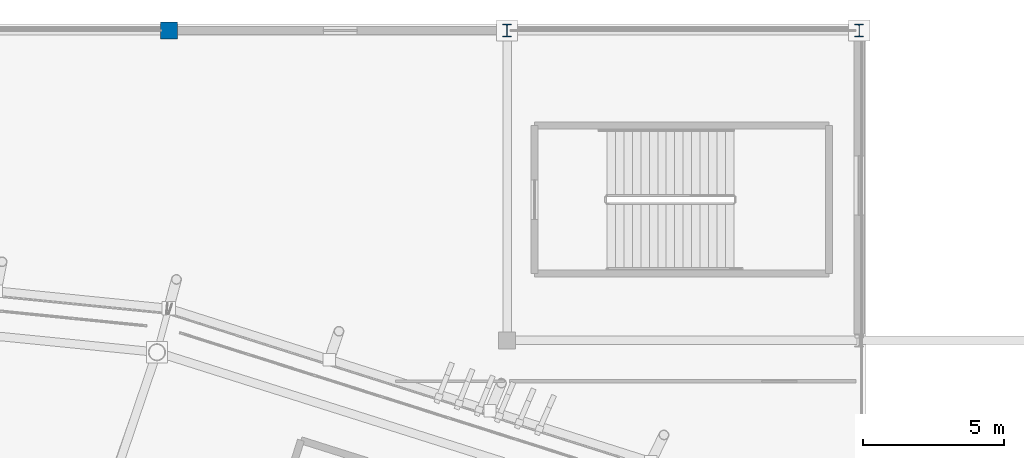
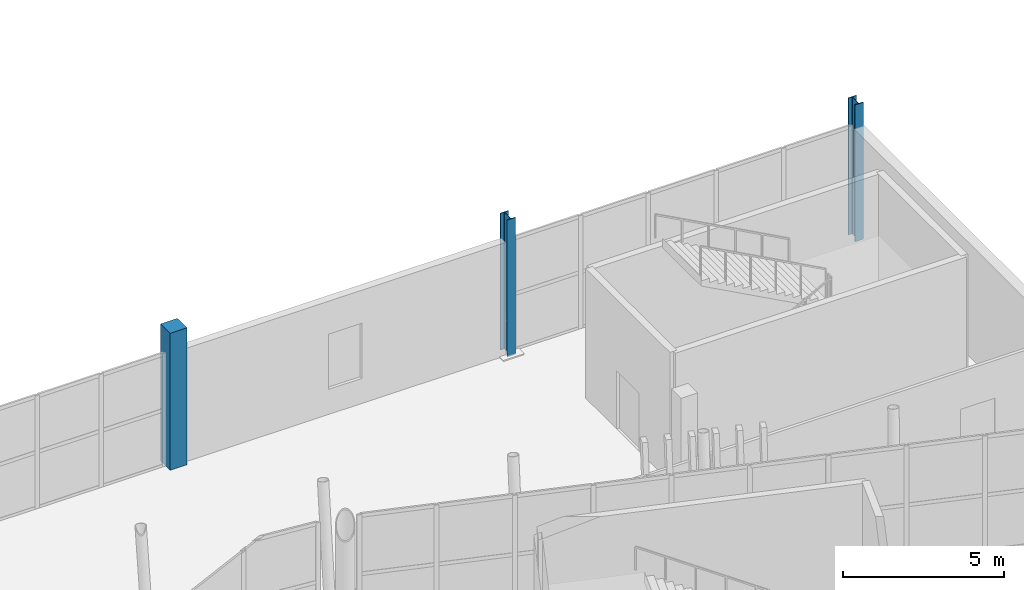
# One storey, part 22 of 178: 3 columns.
"""IFC4 building model written with IfcOpenShell, lengths in metres."""

from ifc_helpers import new_model, si_unit, direction, frame, origin, origin_2d, place, context, subcontext, project, spatial, rectangle, i_section, extrude, material, material_profile, profile_set, type_object, element, save


model = new_model("IFC4")

# Units and contexts
model_context = context("Model", 3, precision=1e-05, world=origin(), true_north=direction((0.0, 1.0)))
body_context = subcontext(model_context, "Body", "Model", "MODEL_VIEW")
ifc_project = project(units=[si_unit("LENGTHUNIT", "METRE"), si_unit("AREAUNIT", "SQUARE_METRE"), si_unit("VOLUMEUNIT", "CUBIC_METRE"), si_unit("PLANEANGLEUNIT", "RADIAN"), si_unit("MASSUNIT", "GRAM", prefix="KILO")], contexts=[model_context])

# Site, building, storey
site_placement = place(None, origin())
site = spatial("IfcSite", under=ifc_project, at=site_placement, CompositionType="ELEMENT")
building_placement = place(site_placement, origin())
building = spatial("IfcBuilding", under=site, at=building_placement, Name="Zlatoyarsky Gate Stadium", CompositionType="ELEMENT")
storey_placement = place(building_placement, frame((0.0, 0.0, 5.39990234375)))
storey = spatial("IfcBuildingStorey", under=building, at=storey_placement, Name="L01", CompositionType="ELEMENT", Elevation=5.39990234375)

# Columns
ifc_material_1 = material(Name="Concrete C40/50", Category="concrete")
ifc_material_profile_1 = material_profile(ifc_material_1, rectangle(XDim=0.60009765625, YDim=0.60009765625, at=origin_2d()), Name="RC COL 600X600")
ifc_profile_set_1 = profile_set([ifc_material_profile_1], Name="Concrete C40/50")
column_type_1 = type_object("IfcColumnType", Name="CONCRETE COLUMN 600X600", PredefinedType="COLUMN", material=ifc_profile_set_1)
column_placement = place(storey_placement, frame((135.5, 160.0, 0.0), z_axis=(0.0, 0.0, 1.0), x_axis=(1.0, 0.0, 0.0)))
element("IfcColumn", 1, at=column_placement, inside=storey, type_object=column_type_1, Name="Column RC-C60 WG-12-Q on L01", PredefinedType="COLUMN", context=body_context, shape_type="SweptSolid", body=[
    extrude(rectangle(XDim=0.60009765625, YDim=0.60009765625, at=origin_2d()), origin(), (0.0, 0.0, 1.0), 5.2001953125),
])
ifc_material_2 = material(Name="Steel S355", Category="steel")
ifc_material_profile_2 = material_profile(ifc_material_2, i_section(OverallWidth=0.300048828125, OverallDepth=0.449951171875, WebThickness=0.013916015625, FlangeThickness=0.02587890625, FilletRadius=0.027099609375, at=origin_2d()), Name="HEB 450")
ifc_profile_set_2 = profile_set([ifc_material_profile_2], Name="Steel S355")
column_type_2 = type_object("IfcColumnType", Name="STEEL COLUMN HEB 450", PredefinedType="COLUMN", material=ifc_profile_set_2)
for number, where, z_axis, x_axis, name in (
    (2, (147.5, 160.0, 0.0), (0.0, 0.0, 1.0), (1.0, 0.0, 0.0), "Column ST-C450 WG-13-Q on L01"),
    (3, (160.0, 160.0, 0.0), (0.0, 0.0, 1.0), (1.0, 0.0, 0.0), "Column ST-C450 WG-14-Q on L01"),
):
    element("IfcColumn", number, at=place(storey_placement, frame(where, z_axis=z_axis, x_axis=x_axis)), inside=storey, type_object=column_type_2, Name=name, PredefinedType="COLUMN", context=body_context, shape_type="SweptSolid", body=[
        extrude(i_section(OverallWidth=0.300048828125, OverallDepth=0.449951171875, WebThickness=0.013916015625, FlangeThickness=0.02587890625, FilletRadius=0.027099609375, at=origin_2d()), origin(), (0.0, 0.0, 1.0), 5.2001953125),
    ])

save(model, "model.ifc")
